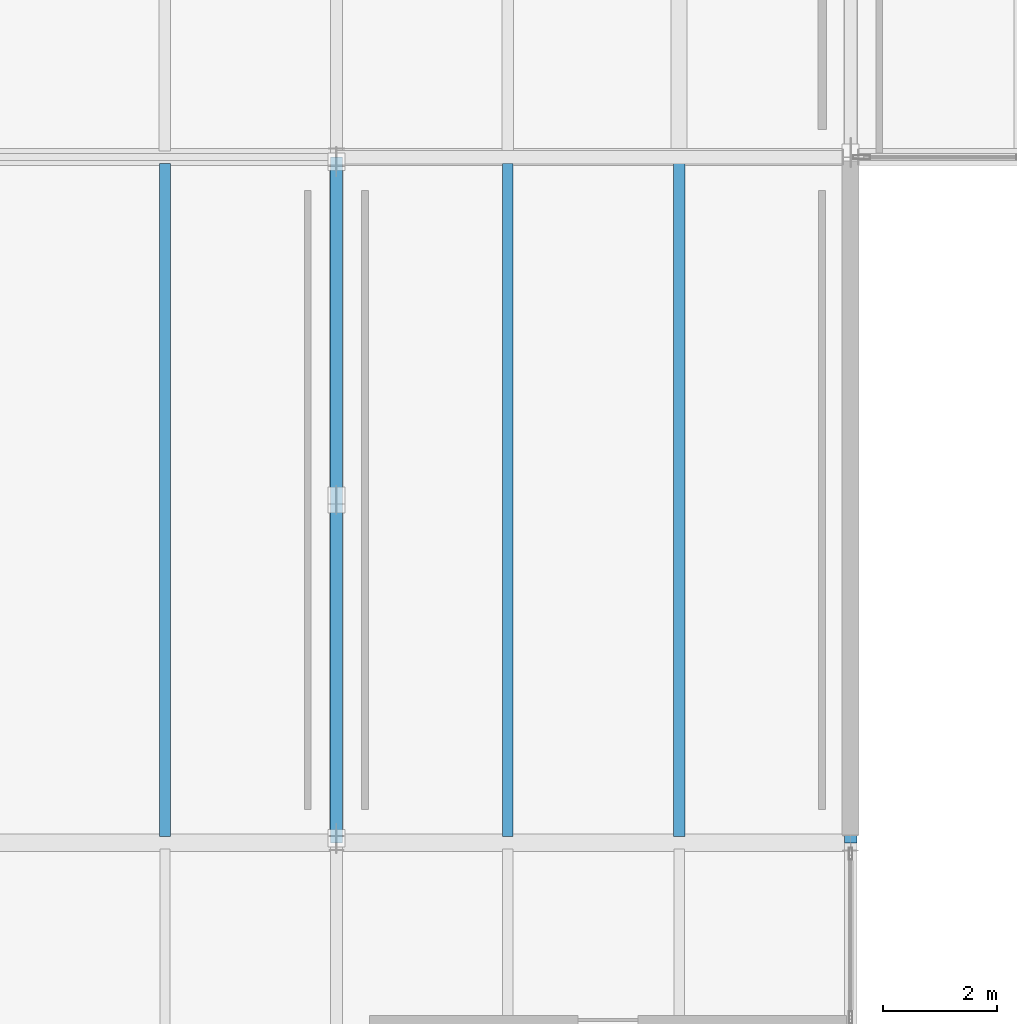
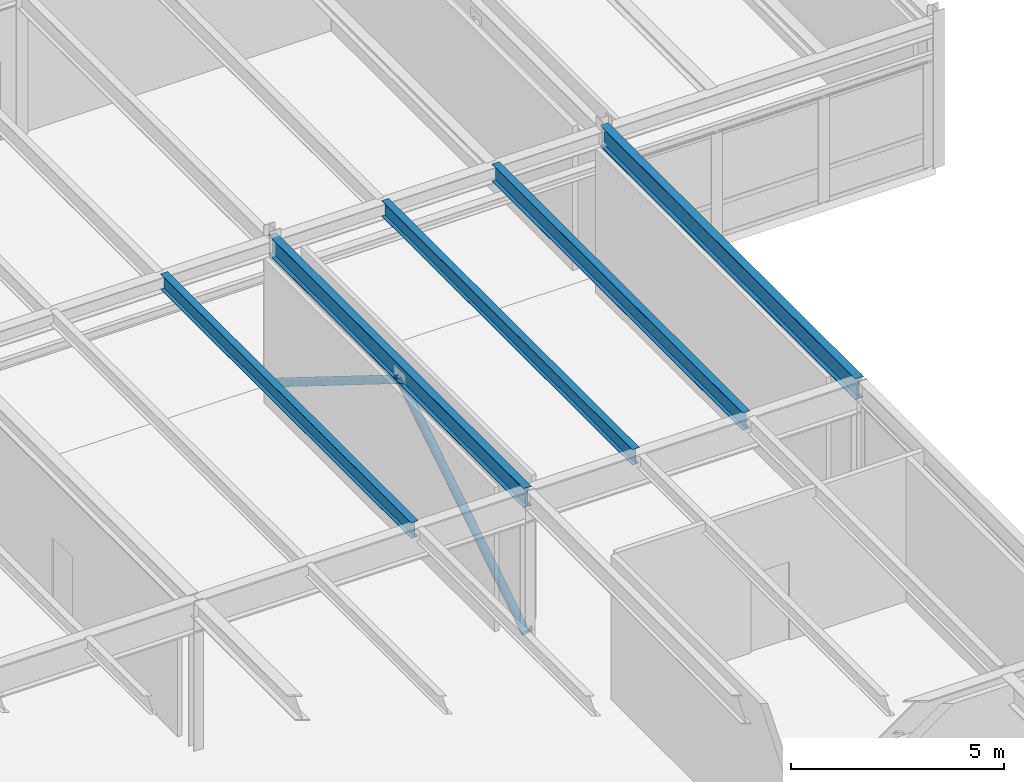
# One storey, part 51 of 115: 5 beams, 2 members.
"""IFC4 building model written with IfcOpenShell, lengths in metres."""

from ifc_helpers import new_model, si_unit, direction, frame, origin, origin_2d, place, context, subcontext, project, spatial, hollow_circle, i_section, extrude, material, material_profile, profile_set, type_object, element, save


model = new_model("IFC4")

# Units and contexts
model_context = context("Model", 3, precision=1e-05, world=origin(), true_north=direction((0.0, 1.0)))
body_context = subcontext(model_context, "Body", "Model", "MODEL_VIEW")
ifc_project = project(units=[si_unit("LENGTHUNIT", "METRE"), si_unit("AREAUNIT", "SQUARE_METRE"), si_unit("VOLUMEUNIT", "CUBIC_METRE"), si_unit("PLANEANGLEUNIT", "RADIAN"), si_unit("MASSUNIT", "GRAM", prefix="KILO")], contexts=[model_context])

# Site, building, storey
site_placement = place(None, origin())
site = spatial("IfcSite", under=ifc_project, at=site_placement, CompositionType="ELEMENT")
building_placement = place(site_placement, origin())
building = spatial("IfcBuilding", under=site, at=building_placement, Name="Montelvaro Courts of Justice", CompositionType="ELEMENT")
storey_placement = place(building_placement, frame((0.0, 0.0, 9.89990234375)))
storey = spatial("IfcBuildingStorey", under=building, at=storey_placement, Name="L02", CompositionType="ELEMENT", Elevation=9.89990234375)

# Beams
ifc_material = material(Name="Steel S355", Category="steel")
ifc_material_profile_1 = material_profile(ifc_material, i_section(OverallWidth=0.18994140625, OverallDepth=0.449951171875, WebThickness=0.009521484375, FlangeThickness=0.0146484375, at=origin_2d()), Name="IPE 450")
ifc_profile_set_1 = profile_set([ifc_material_profile_1], Name="Steel S355")
beam_type_1 = type_object("IfcBeamType", Name="Beam_IPE450", PredefinedType="BEAM", material=ifc_profile_set_1)
for number, where, z_axis, x_axis, name in (
    (1, (114.0, 54.110107421875, 4.0751953125), (0.0, 1.0, 0.0), (-1.0, 0.0, 0.0), "Beam B-09 L02"),
    (2, (120.0, 54.110107421875, 4.0751953125), (0.0, 1.0, 0.0), (-1.0, 0.0, 0.0), "Beam B-09 L02"),
):
    element("IfcBeam", number, at=place(storey_placement, frame(where, z_axis=z_axis, x_axis=x_axis)), inside=storey, type_object=beam_type_1, Name=name, PredefinedType="BEAM", context=body_context, shape_type="SweptSolid", body=[
        extrude(i_section(OverallWidth=0.18994140625, OverallDepth=0.449951171875, WebThickness=0.009521484375, FlangeThickness=0.0146484375, at=origin_2d()), origin(), (0.0, 0.0, 1.0), 11.77978515625),
    ])
ifc_material_profile_2 = material_profile(ifc_material, i_section(OverallWidth=0.199951171875, OverallDepth=0.5, WebThickness=0.01025390625, FlangeThickness=0.01611328125, at=origin_2d()), Name="IPE 500")
ifc_profile_set_2 = profile_set([ifc_material_profile_2], Name="Steel S355")
beam_type_2 = type_object("IfcBeamType", Name="Beam_IPE500", PredefinedType="BEAM", material=ifc_profile_set_2)
beam_1_placement = place(storey_placement, frame((123.0, 54.110107421875, 4.050048828125), z_axis=(0.0, 1.0, 0.0), x_axis=(-1.0, 0.0, 0.0)))
element("IfcBeam", 3, at=beam_1_placement, inside=storey, type_object=beam_type_2, Name="Beam B-10 L02", PredefinedType="BEAM", context=body_context, shape_type="SweptSolid", body=[
    extrude(i_section(OverallWidth=0.199951171875, OverallDepth=0.5, WebThickness=0.01025390625, FlangeThickness=0.01611328125, at=origin_2d()), origin(), (0.0, 0.0, 1.0), 11.77978515625),
])
ifc_material_profile_3 = material_profile(ifc_material, i_section(OverallWidth=0.2099609375, OverallDepth=0.550048828125, WebThickness=0.010986328125, FlangeThickness=0.01708984375, at=origin_2d()), Name="IPE 550")
ifc_profile_set_3 = profile_set([ifc_material_profile_3], Name="Steel S355")
beam_type_3 = type_object("IfcBeamType", Name="Beam_IPE550", PredefinedType="BEAM", material=ifc_profile_set_3)
beam_2_placement = place(storey_placement, frame((117.0, 54.0, 4.025146484375), z_axis=(0.0, 1.0, 0.0), x_axis=(-1.0, 0.0, 0.0)))
element("IfcBeam", 4, at=beam_2_placement, inside=storey, type_object=beam_type_3, Name="Beam B-11 L02", PredefinedType="BEAM", context=body_context, shape_type="SweptSolid", body=[
    extrude(i_section(OverallWidth=0.2099609375, OverallDepth=0.550048828125, WebThickness=0.010986328125, FlangeThickness=0.01708984375, at=origin_2d()), origin(), (0.0, 0.0, 1.0), 12.0),
])
ifc_material_profile_4 = material_profile(ifc_material, i_section(OverallWidth=0.219970703125, OverallDepth=0.60009765625, WebThickness=0.011962890625, FlangeThickness=0.01904296875, at=origin_2d()), Name="IPE 600")
ifc_profile_set_4 = profile_set([ifc_material_profile_4], Name="Steel S355")
beam_type_4 = type_object("IfcBeamType", Name="Beam_IPE600", PredefinedType="USERDEFINED", material=ifc_profile_set_4)
beam_3_placement = place(storey_placement, frame((126.0, 54.0, 4.0), z_axis=(0.0, 1.0, 0.0), x_axis=(-1.0, 0.0, 0.0)))
element("IfcBeam", 5, at=beam_3_placement, inside=storey, type_object=beam_type_4, Name="Beam B-12 L02", ObjectType="GIRDER", PredefinedType="USERDEFINED", context=body_context, shape_type="SweptSolid", body=[
    extrude(i_section(OverallWidth=0.219970703125, OverallDepth=0.60009765625, WebThickness=0.011962890625, FlangeThickness=0.01904296875, at=origin_2d()), origin(), (0.0, 0.0, 1.0), 12.0),
])

# Members
ifc_material_profile_5 = material_profile(ifc_material, hollow_circle(Radius=0.109619140625, WallThickness=0.010009765625, at=origin_2d()), Name="CHS 219.1x10")
ifc_profile_set_5 = profile_set([ifc_material_profile_5], Name="Steel S355")
member_type = type_object("IfcMemberType", Name="Mem_CHS219_Brace", PredefinedType="BRACE", material=ifc_profile_set_5)
for number, where, z_axis, x_axis, name in (
    (6, (117.0, 54.080078125, 0.080078125), (0.0, 0.848642591598, 0.528966683001), (-1.0, 0.0, 0.0), "Lateral Braced Frame CBF4 Diagonal 1 (L02)"),
    (7, (117.0, 65.919921875, 0.080078125), (0.0, -0.848642591598, 0.528966683001), (1.0, 0.0, 0.0), "Lateral Braced Frame CBF4 Diagonal 2 (L02)"),
):
    element("IfcMember", number, at=place(storey_placement, frame(where, z_axis=z_axis, x_axis=x_axis)), inside=storey, type_object=member_type, Name=name, PredefinedType="BRACE", context=body_context, shape_type="SweptSolid", body=[
        extrude(hollow_circle(Radius=0.109619140625, WallThickness=0.010009765625, at=origin_2d()), origin(), (0.0, 0.0, 1.0), 6.975830078125),
    ])

save(model, "model.ifc")
